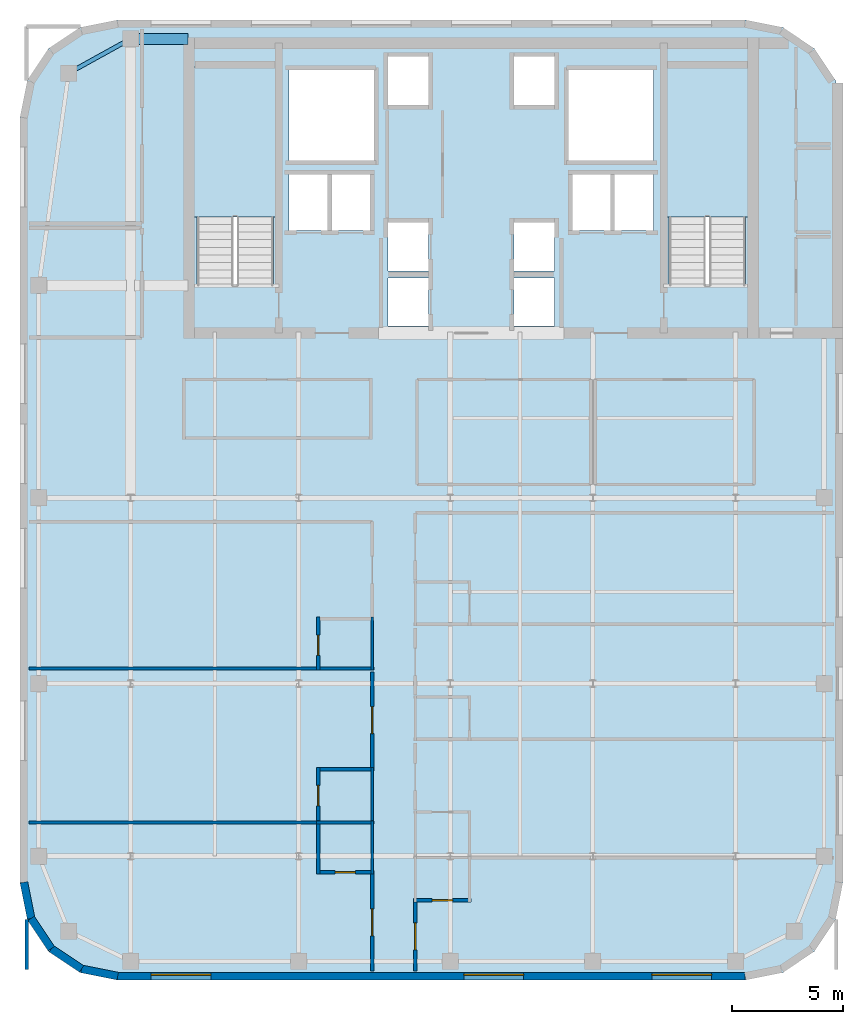
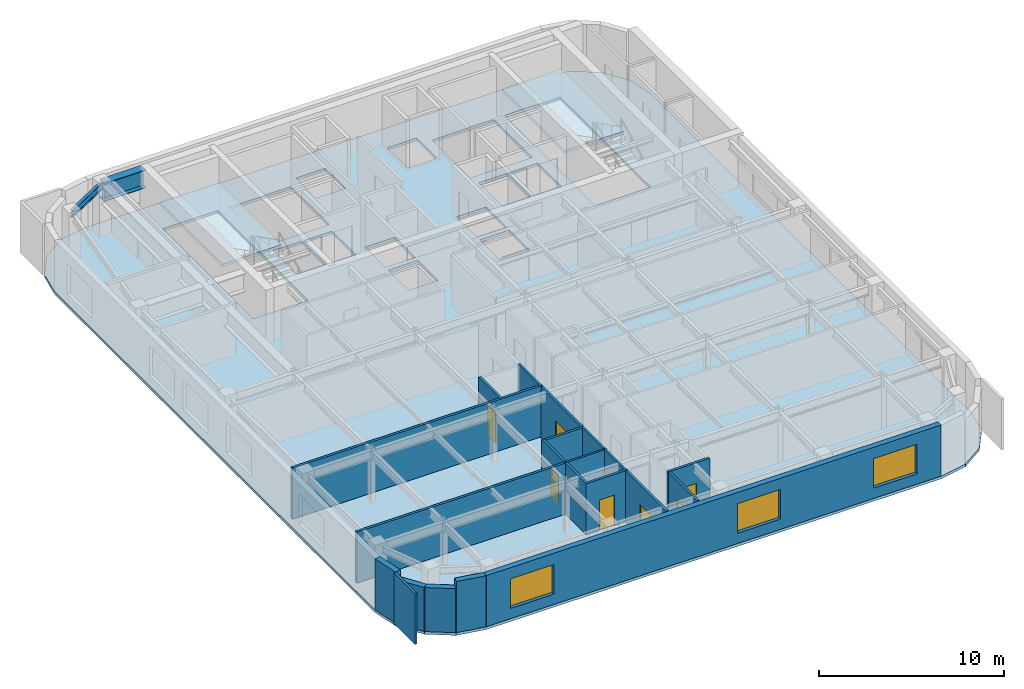
# One storey, part 3 of 8: 21 walls, 7 doors, 3 slabs, 3 windows, 2 beams, 10 openings, 2 elements without a shape of their own.
"""IFC4 building model written with IfcOpenShell, lengths in metres."""

from ifc_helpers import new_model, si_unit, direction, frame, frame_2d, origin, origin_2d, place, context, subcontext, project, spatial, polyline, rectangle, i_section, outline, extrude, source, transform, mapped, material, layer, layer_set, material_profile, profile_set, type_object, type_shapes, element, fill, aggregate, save


model = new_model("IFC4")

# Units and contexts
model_context = context("Model", 3, precision=1e-05, world=origin(), true_north=direction((0.0, 1.0)))
body_context = subcontext(model_context, "Body", "Model", "MODEL_VIEW")
ifc_project = project(units=[si_unit("LENGTHUNIT", "METRE"), si_unit("AREAUNIT", "SQUARE_METRE"), si_unit("VOLUMEUNIT", "CUBIC_METRE"), si_unit("PLANEANGLEUNIT", "RADIAN"), si_unit("MASSUNIT", "GRAM", prefix="KILO")], contexts=[model_context])

# Site, building, storey
site_placement = place(None, origin())
site = spatial("IfcSite", under=ifc_project, at=site_placement, CompositionType="ELEMENT")
building_placement = place(site_placement, origin())
building = spatial("IfcBuilding", under=site, at=building_placement, Name="Tolvann Quenvar Hotel", CompositionType="ELEMENT")
storey_placement = place(building_placement, frame((0.0, 0.0, 231.0)))
storey = spatial("IfcBuildingStorey", under=building, at=storey_placement, Name="L61", CompositionType="ELEMENT", Elevation=231.0)

# Beams
ifc_material_1 = material(Name="Steel Grade 350", Category="steel")
ifc_material_profile_1 = material_profile(ifc_material_1, i_section(OverallWidth=0.5, OverallDepth=1.199951171875, WebThickness=0.01611328125, FlangeThickness=0.0400390625, at=origin_2d()), Name="1200WB455")
ifc_profile_set_1 = profile_set([ifc_material_profile_1], Name="Steel Grade 350")
beam_type_1 = type_object("IfcBeamType", Name="BM_TG_1200WB455", PredefinedType="USERDEFINED", material=ifc_profile_set_1)
shared_shape_1 = source(origin(), body_context, "Body", "SweptSolid", [
    extrude(i_section(OverallWidth=0.5, OverallDepth=1.199951171875, WebThickness=0.01611328125, FlangeThickness=0.0400390625, at=origin_2d()), origin(), (0.0, 0.0, 1.0), 2.599853515625),
])
type_shapes(beam_type_1, [shared_shape_1])
beam_1_placement = place(storey_placement, frame((7.60009765625, 45.14990234375, 2.77001953125), z_axis=(1.0, 0.0, 0.0), x_axis=(0.0, 1.0, 0.0)))
element("IfcBeam", 1, at=beam_1_placement, inside=storey, type_object=beam_type_1, Name="BM-L61-CTW-CN", ObjectType="TRANSFER GIRDER", PredefinedType="USERDEFINED", context=body_context, shape_type="MappedRepresentation", body=[
    mapped(shared_shape_1, transform((0.0, 0.0, 0.0), x_axis=(1.0, 0.0, 0.0), y_axis=(0.0, 1.0, 0.0), z_axis=(0.0, 0.0, 1.0), scale=1.0)),
])
ifc_material_profile_2 = material_profile(ifc_material_1, i_section(OverallWidth=0.19091796875, OverallDepth=0.4599609375, WebThickness=0.010009765625, FlangeThickness=0.01611328125, FilletRadius=0.011474609375, at=origin_2d()), Name="460UB82")
ifc_profile_set_2 = profile_set([ifc_material_profile_2], Name="Steel Grade 350")
beam_type_2 = type_object("IfcBeamType", Name="BM_SPAND_460UB82", PredefinedType="SPANDREL", material=ifc_profile_set_2)
shared_shape_2 = source(origin(), body_context, "Body", "SweptSolid", [
    extrude(i_section(OverallWidth=0.19091796875, OverallDepth=0.4599609375, WebThickness=0.010009765625, FlangeThickness=0.01611328125, FilletRadius=0.011474609375, at=origin_2d()), origin(), (0.0, 0.0, 1.0), 3.200439453125),
])
type_shapes(beam_type_2, [shared_shape_2])
beam_2_placement = place(storey_placement, frame((4.800048828125, 43.60009765625, 3.139892578125), z_axis=(0.87492264453, 0.48426270359, 0.0), x_axis=(-0.48426270359, 0.87492264453, 0.0)))
element("IfcBeam", 2, at=beam_2_placement, inside=storey, type_object=beam_type_2, Name="BM-L61-FLK-W3", PredefinedType="SPANDREL", context=body_context, shape_type="MappedRepresentation", body=[
    mapped(shared_shape_2, transform((0.0, 0.0, 0.0), x_axis=(1.0, 0.0, 0.0), y_axis=(0.0, 1.0, 0.0), z_axis=(0.0, 0.0, 1.0), scale=1.0)),
])

# Stair, slab
ifc_material_2 = material(Name="Concrete N40 (40 MPa)", Category="concrete")
stair_type = type_object("IfcStairType", Name="STAIR", PredefinedType="HALF_TURN_STAIR", material=ifc_material_2)
stair_1_placement = place(storey_placement, origin())
stair_1 = element("IfcStair", 3, at=stair_1_placement, inside=storey, type_object=stair_type, Name="L61 ST-C1", PredefinedType="HALF_TURN_STAIR")
ifc_layer_1 = layer(ifc_material_2, 0.199951171875)
ifc_layer_set_1 = layer_set([ifc_layer_1], Name="Concrete N40 (40 MPa)")
slab_type_1 = type_object("IfcSlabType", Name="SLAB_LANDING", PredefinedType="LANDING", material=ifc_layer_set_1)
slab_1_placement = place(storey_placement, frame((0.0, 0.0, 1.574951171875)))
slab_1 = element("IfcSlab", 4, at=slab_1_placement, type_object=slab_type_1, Name="ST-C1 landing 1", PredefinedType="LANDING", context=body_context, shape_type="SweptSolid", body=[
    extrude(outline(polyline([(14.179931640625, 37.10498046875), (14.179931640625, 43.8798828125), (10.469970703125, 43.8798828125), (10.469970703125, 37.10498046875), (14.179931640625, 37.10498046875)])), origin(), (0.0, 0.0, 1.0), 0.199951171875),
])
aggregate(stair_1, [slab_1])

stair_2_placement = place(storey_placement, origin())
stair_2 = element("IfcStair", 5, at=stair_2_placement, inside=storey, type_object=stair_type, Name="L61 ST-C2", PredefinedType="HALF_TURN_STAIR")
slab_2_placement = place(storey_placement, frame((0.0, 0.0, 1.574951171875)))
slab_2 = element("IfcSlab", 6, at=slab_2_placement, type_object=slab_type_1, Name="ST-C2 landing 1", PredefinedType="LANDING", context=body_context, shape_type="SweptSolid", body=[
    extrude(outline(polyline([(35.530029296875, 37.10498046875), (35.530029296875, 43.8798828125), (31.820068359375, 43.8798828125), (31.820068359375, 37.10498046875), (35.530029296875, 37.10498046875)])), origin(), (0.0, 0.0, 1.0), 0.199951171875),
])
aggregate(stair_2, [slab_2])

# Slab
ifc_layer_2 = layer(ifc_material_2, 0.179931640625)
ifc_layer_set_2 = layer_set([ifc_layer_2], Name="Concrete N40 (40 MPa)")
slab_type_2 = type_object("IfcSlabType", Name="SLAB_TWR_180", PredefinedType="FLOOR", material=ifc_layer_set_2)
slab_3_placement = place(storey_placement, frame((0.0, 0.0, -0.179931640625)))
element("IfcSlab", 7, at=slab_3_placement, inside=storey, type_object=slab_type_2, Name="Level L61 Structural Floor Slab", PredefinedType="FLOOR", context=body_context, shape_type="SweptSolid", body=[
    extrude(outline(polyline([(2.60009765625, 7.0), (2.934814453125, 5.316162109375), (3.888671875, 3.888671875), (5.316162109375, 2.934814453125), (7.0, 2.60009765625), (35.39990234375, 2.60009765625), (37.083740234375, 2.934814453125), (38.51123046875, 3.888671875), (39.465087890625, 5.316162109375), (39.800048828125, 7.0), (39.800048828125, 41.60009765625), (39.465087890625, 43.28369140625), (38.51123046875, 44.711181640625), (37.083740234375, 45.6650390625), (35.39990234375, 46.0), (7.0, 46.0), (5.316162109375, 45.6650390625), (3.888671875, 44.711181640625), (2.934814453125, 43.28369140625), (2.60009765625, 41.60009765625), (2.60009765625, 7.0)]), holes=[polyline([(31.949951171875, 34.02490234375), (31.949951171875, 43.800048828125), (35.39990234375, 43.800048828125), (35.39990234375, 34.02490234375), (31.949951171875, 34.02490234375)]), polyline([(27.39990234375, 43.75), (31.25, 43.75), (31.25, 39.64990234375), (27.39990234375, 39.64990234375), (27.39990234375, 43.75)]), polyline([(29.449951171875, 39.02001953125), (31.25, 39.02001953125), (31.25, 36.47998046875), (29.449951171875, 36.47998046875), (29.449951171875, 39.02001953125)]), polyline([(27.574951171875, 39.02001953125), (29.324951171875, 39.02001953125), (29.324951171875, 36.47998046875), (27.574951171875, 36.47998046875), (27.574951171875, 39.02001953125)]), polyline([(24.929931640625, 36.840087890625), (26.77001953125, 36.840087890625), (26.77001953125, 34.659912109375), (24.929931640625, 34.659912109375), (24.929931640625, 36.840087890625)]), polyline([(24.929931640625, 44.340087890625), (26.77001953125, 44.340087890625), (26.77001953125, 42.159912109375), (24.929931640625, 42.159912109375), (24.929931640625, 44.340087890625)]), polyline([(24.929931640625, 32.159912109375), (24.929931640625, 34.340087890625), (26.77001953125, 34.340087890625), (26.77001953125, 32.159912109375), (24.929931640625, 32.159912109375)]), polyline([(19.22998046875, 36.840087890625), (21.070068359375, 36.840087890625), (21.070068359375, 34.659912109375), (19.22998046875, 34.659912109375), (19.22998046875, 36.840087890625)]), polyline([(19.22998046875, 44.340087890625), (21.070068359375, 44.340087890625), (21.070068359375, 42.159912109375), (19.22998046875, 42.159912109375), (19.22998046875, 44.340087890625)]), polyline([(19.22998046875, 32.159912109375), (19.22998046875, 34.340087890625), (21.070068359375, 34.340087890625), (21.070068359375, 32.159912109375), (19.22998046875, 32.159912109375)]), polyline([(14.75, 43.75), (18.60009765625, 43.75), (18.60009765625, 39.64990234375), (14.75, 39.64990234375), (14.75, 43.75)]), polyline([(16.675048828125, 39.02001953125), (18.425048828125, 39.02001953125), (18.425048828125, 36.47998046875), (16.675048828125, 36.47998046875), (16.675048828125, 39.02001953125)]), polyline([(14.75, 39.02001953125), (16.550048828125, 39.02001953125), (16.550048828125, 36.47998046875), (14.75, 36.47998046875), (14.75, 39.02001953125)]), polyline([(10.60009765625, 34.02490234375), (10.60009765625, 43.800048828125), (14.050048828125, 43.800048828125), (14.050048828125, 34.02490234375), (10.60009765625, 34.02490234375)])]), origin(), (0.0, 0.0, 1.0), 0.179931640625),
])

# Walls
ifc_material_3 = material(Name="Kiln-fired red and buff architectural clay brickwork and terracotta masonry", Category="masonry")
ifc_layer_3 = layer(ifc_material_3, 0.35009765625)
ifc_layer_set_3 = layer_set([ifc_layer_3], Name="Kiln-fired red and buff architectural clay brickwork and terracotta masonry")
wall_type_1 = type_object("IfcWallType", Name="WALL_EXT_BRICK_350", PredefinedType="SOLIDWALL", material=ifc_layer_set_3)
for number, where, z_axis, x_axis, name in (
    (8, (3.099609375, 5.384521484375, 0.0), (0.0, 0.0, 1.0), (0.555623290322, -0.831434158098, 0.0), "Exterior Chicago Brick Wall L61-E01"),
    (9, (4.014892578125, 4.014892578125, 0.0), (0.0, 0.0, 1.0), (0.831434158098, -0.555623290322, 0.0), "Exterior Chicago Brick Wall L61-E02"),
):
    element("IfcWall", number, at=place(storey_placement, frame(where, z_axis=z_axis, x_axis=x_axis)), inside=storey, type_object=wall_type_1, Name=name, PredefinedType="SOLIDWALL", context=body_context, shape_type="SweptSolid", body=[
        extrude(rectangle(XDim=1.647216796875, YDim=0.35009765625, at=frame_2d((0.82373046875, 0.0))), origin(), (0.0, 0.0, 1.0), 2.89990234375),
    ])
wall_1_placement = place(storey_placement, frame((5.384521484375, 3.099609375, 0.0), z_axis=(0.0, 0.0, 1.0), x_axis=(0.980788844421, -0.195072403631, 0.0)))
element("IfcWall", 10, at=wall_1_placement, inside=storey, type_object=wall_type_1, Name="Exterior Chicago Brick Wall L61-E03", PredefinedType="SOLIDWALL", context=body_context, shape_type="SweptSolid", body=[
    extrude(rectangle(XDim=1.66455078125, YDim=0.35009765625, at=frame_2d((0.832275390625, 0.0))), origin(), (0.0, 0.0, 1.0), 3.3701171875),
])

# Wall, openings, windows
wall_2_placement = place(storey_placement, frame((7.01708984375, 2.77490234375, 0.0), z_axis=(0.0, 0.0, 1.0), x_axis=(1.0, 0.0, 0.0)))
wall_2 = element("IfcWall", 11, at=wall_2_placement, inside=storey, type_object=wall_type_1, Name="Exterior Chicago Brick Wall L61-E04", PredefinedType="SOLIDWALL", context=body_context, shape_type="SweptSolid", body=[
    extrude(rectangle(XDim=28.36572265625, YDim=0.35009765625, at=frame_2d((14.182861328125, 0.0))), origin(), (0.0, 0.0, 1.0), 3.3701171875),
])
opening_1_placement = place(wall_2_placement, frame((1.513916015625, 0.0, 0.679931640625)))
opening_1 = element("IfcOpeningElement", 12, at=opening_1_placement, cuts=wall_2, Name="Opening W-04", PredefinedType="OPENING", context=body_context, shape_type="SweptSolid", body=[
    extrude(rectangle(XDim=2.699951171875, YDim=1.949951171875, at=frame_2d((1.35009765625, 0.97509765625))), frame((0.0, 0.18505859375, 0.0), z_axis=(0.0, -1.0, 0.0), x_axis=(1.0, 0.0, 0.0)), (0.0, 0.0, 1.0), 0.3701171875),
])
opening_2_placement = place(wall_2_placement, frame((15.64697265625, 0.0, 0.679931640625)))
opening_2 = element("IfcOpeningElement", 13, at=opening_2_placement, cuts=wall_2, Name="Opening W-04", PredefinedType="OPENING", context=body_context, shape_type="SweptSolid", body=[
    extrude(rectangle(XDim=2.699951171875, YDim=1.949951171875, at=frame_2d((1.35009765625, 0.97509765625))), frame((0.0, 0.18505859375, 0.0), z_axis=(0.0, -1.0, 0.0), x_axis=(1.0, 0.0, 0.0)), (0.0, 0.0, 1.0), 0.3701171875),
])
opening_3_placement = place(wall_2_placement, frame((24.152099609375, 0.0, 0.679931640625)))
opening_3 = element("IfcOpeningElement", 14, at=opening_3_placement, cuts=wall_2, Name="Opening W-04", PredefinedType="OPENING", context=body_context, shape_type="SweptSolid", body=[
    extrude(rectangle(XDim=2.699951171875, YDim=1.949951171875, at=frame_2d((1.35009765625, 0.97509765625))), frame((0.0, 0.18505859375, 0.0), z_axis=(0.0, -1.0, 0.0), x_axis=(1.0, 0.0, 0.0)), (0.0, 0.0, 1.0), 0.3701171875),
])
ifc_material_4 = material(Name="Thermally broken bronze-anodised aluminium frame with double low-E glazing", Category="aluminium")
window_type = type_object("IfcWindowType", Name="WIN_STE_2700x2150", PartitioningType="TRIPLE_PANEL_HORIZONTAL", PredefinedType="WINDOW", material=ifc_material_4)
shared_shape_3 = source(origin(), body_context, "Body", "SweptSolid", [
    extrude(rectangle(XDim=2.699951171875, YDim=1.949951171875, at=frame_2d((1.35009765625, 0.97509765625))), frame((0.0, 0.090087890625, 0.0), z_axis=(0.0, -1.0, 0.0), x_axis=(1.0, 0.0, 0.0)), (0.0, 0.0, 1.0), 0.06005859375),
])
type_shapes(window_type, [shared_shape_3])
window_1_placement = place(opening_1_placement, origin())
window_1 = element("IfcWindow", 15, at=window_1_placement, inside=storey, type_object=window_type, Name="Chicago Window W-04 (EW-L61-E04-W01)", OverallHeight=1.949951171875, OverallWidth=2.699951171875, PartitioningType="TRIPLE_PANEL_HORIZONTAL", PredefinedType="WINDOW", context=body_context, shape_type="MappedRepresentation", body=[
    mapped(shared_shape_3, transform((0.0, 0.0, 0.0), x_axis=(1.0, 0.0, 0.0), y_axis=(0.0, 1.0, 0.0), z_axis=(0.0, 0.0, 1.0), scale=1.0)),
])
fill(opening_1, window_1)
window_2_placement = place(opening_2_placement, origin())
window_2 = element("IfcWindow", 16, at=window_2_placement, inside=storey, type_object=window_type, Name="Chicago Window W-04 (EW-L61-E04-W02)", OverallHeight=1.949951171875, OverallWidth=2.699951171875, PartitioningType="TRIPLE_PANEL_HORIZONTAL", PredefinedType="WINDOW", context=body_context, shape_type="MappedRepresentation", body=[
    mapped(shared_shape_3, transform((0.0, 0.0, 0.0), x_axis=(1.0, 0.0, 0.0), y_axis=(0.0, 1.0, 0.0), z_axis=(0.0, 0.0, 1.0), scale=1.0)),
])
fill(opening_2, window_2)
window_3_placement = place(opening_3_placement, origin())
window_3 = element("IfcWindow", 17, at=window_3_placement, inside=storey, type_object=window_type, Name="Chicago Window W-04 (EW-L61-E04-W03)", OverallHeight=1.949951171875, OverallWidth=2.699951171875, PartitioningType="TRIPLE_PANEL_HORIZONTAL", PredefinedType="WINDOW", context=body_context, shape_type="MappedRepresentation", body=[
    mapped(shared_shape_3, transform((0.0, 0.0, 0.0), x_axis=(1.0, 0.0, 0.0), y_axis=(0.0, 1.0, 0.0), z_axis=(0.0, 0.0, 1.0), scale=1.0)),
])
fill(opening_3, window_3)

# Walls
wall_3_placement = place(storey_placement, frame((2.77490234375, 7.01708984375, 0.0), z_axis=(0.0, 0.0, 1.0), x_axis=(0.195072403631, -0.980788844421, 0.0)))
element("IfcWall", 18, at=wall_3_placement, inside=storey, type_object=wall_type_1, Name="Exterior Chicago Brick Wall L61-E20", PredefinedType="SOLIDWALL", context=body_context, shape_type="SweptSolid", body=[
    extrude(rectangle(XDim=1.66455078125, YDim=0.35009765625, at=frame_2d((0.832275390625, 0.0))), origin(), (0.0, 0.0, 1.0), 3.3701171875),
])
ifc_material_5 = material(Name="Moisture-resistant acoustic plumbing wall assembly")
ifc_layer_4 = layer(ifc_material_5, 0.1201171875)
ifc_layer_set_4 = layer_set([ifc_layer_4], Name="Moisture-resistant acoustic plumbing wall assembly")
wall_type_2 = type_object("IfcWallType", Name="WALL_PART_BATH_120", PredefinedType="PLUMBINGWALL", material=ifc_layer_set_4)
wall_4_placement = place(storey_placement, frame((16.010009765625, 9.719970703125, 0.0), z_axis=(0.0, 0.0, 1.0), x_axis=(1.0, 0.0, 0.0)))
element("IfcWall", 19, at=wall_4_placement, inside=storey, type_object=wall_type_2, Name="Non-Rated Plumbing Partition PT-SPC-L61-ENS-WO01-N", PredefinedType="PLUMBINGWALL", context=body_context, shape_type="SweptSolid", body=[
    extrude(rectangle(XDim=2.590087890625, YDim=0.1201171875, at=frame_2d((1.294921875, 0.0))), origin(), (0.0, 0.0, 1.0), 3.3701171875),
])
wall_5_placement = place(storey_placement, frame((18.530029296875, 7.39990234375, 0.0), z_axis=(0.0, 0.0, 1.0), x_axis=(0.0, 1.0, 0.0)))
element("IfcWall", 20, at=wall_5_placement, inside=storey, type_object=wall_type_2, Name="Non-Rated Plumbing Partition PT-SPC-L61-ENS-WO01-E", PredefinedType="PLUMBINGWALL", context=body_context, shape_type="SweptSolid", body=[
    extrude(rectangle(XDim=2.39013671875, YDim=0.1201171875, at=frame_2d((1.195068359375, 0.0))), origin(), (0.0, 0.0, 1.0), 3.3701171875),
])
for number, where, z_axis, x_axis, name in (
    (21, (18.530029296875, 9.81005859375, 0.0), (0.0, 0.0, 1.0), (0.0, 1.0, 0.0), "Non-Rated Plumbing Partition PT-SPC-L61-ENS-WO02-E"),
    (22, (18.530029296875, 16.610107421875, 0.0), (0.0, 0.0, 1.0), (0.0, 1.0, 0.0), "Non-Rated Plumbing Partition PT-SPC-L61-ENS-WO03-E"),
):
    element("IfcWall", number, at=place(storey_placement, frame(where, z_axis=z_axis, x_axis=x_axis)), inside=storey, type_object=wall_type_2, Name=name, PredefinedType="PLUMBINGWALL", context=body_context, shape_type="SweptSolid", body=[
        extrude(rectangle(XDim=2.389892578125, YDim=0.1201171875, at=frame_2d((1.19482421875, 0.0))), origin(), (0.0, 0.0, 1.0), 3.3701171875),
    ])
ifc_material_6 = material(Name="Acoustic twin-stud fire-rated gypsum plasterboard partition")
ifc_layer_5 = layer(ifc_material_6, 0.14990234375)
ifc_layer_set_5 = layer_set([ifc_layer_5], Name="Acoustic twin-stud fire-rated gypsum plasterboard partition")
wall_type_3 = type_object("IfcWallType", Name="WALL_PART_SUITE_150", PredefinedType="PARTITIONING", material=ifc_layer_set_5)
wall_6_placement = place(storey_placement, frame((16.080078125, 7.39990234375, 0.0), z_axis=(0.0, 0.0, 1.0), x_axis=(0.0, 1.0, 0.0)))
element("IfcWall", 23, at=wall_6_placement, inside=storey, type_object=wall_type_3, Name="Interior Partition PT-SPC-L61-ENS-WO01-ENT", PredefinedType="PARTITIONING", context=body_context, shape_type="SweptSolid", body=[
    extrude(rectangle(XDim=2.39013671875, YDim=0.14990234375, at=frame_2d((1.195068359375, 0.0))), origin(), (0.0, 0.0, 1.0), 3.3701171875),
])

# Wall, opening, door
wall_7_placement = place(storey_placement, frame((16.010009765625, 7.469970703125, 0.0), z_axis=(0.0, 0.0, 1.0), x_axis=(1.0, 0.0, 0.0)))
wall_7 = element("IfcWall", 24, at=wall_7_placement, inside=storey, type_object=wall_type_3, Name="Interior Partition PT-SPC-L61-ENS-WO01-S", PredefinedType="PARTITIONING", context=body_context, shape_type="SweptSolid", body=[
    extrude(rectangle(XDim=2.590087890625, YDim=0.14990234375, at=frame_2d((1.294921875, 0.0))), origin(), (0.0, 0.0, 1.0), 3.3701171875),
])
opening_4_placement = place(wall_7_placement, frame((0.8349609375, 0.0, 0.0)))
opening_4 = element("IfcOpeningElement", 25, at=opening_4_placement, cuts=wall_7, Name="Opening WD-01", PredefinedType="OPENING", context=body_context, shape_type="SweptSolid", body=[
    extrude(rectangle(XDim=0.919921875, YDim=2.010009765625, at=frame_2d((0.4599609375, 1.0048828125))), frame((0.0, 0.0849609375, 0.0), z_axis=(0.0, -1.0, 0.0), x_axis=(1.0, 0.0, 0.0)), (0.0, 0.0, 1.0), 0.169921875),
])
ifc_material_7 = material(Name="Solid-core American oak acoustic fire door leaf in steel frame", Category="steel")
door_type_1 = type_object("IfcDoorType", Name="DOOR_WC_920", OperationType="NOTDEFINED", PredefinedType="DOOR", material=ifc_material_7)
shared_shape_4 = source(origin(), body_context, "Body", "SweptSolid", [
    extrude(rectangle(XDim=0.919921875, YDim=2.010009765625, at=frame_2d((0.4599609375, 1.0048828125))), frame((0.0, 0.02490234375, 0.0), z_axis=(0.0, -1.0, 0.0), x_axis=(1.0, 0.0, 0.0)), (0.0, 0.0, 1.0), 0.050048828125),
])
type_shapes(door_type_1, [shared_shape_4])
door_1_placement = place(opening_4_placement, origin())
door_1 = element("IfcDoor", 26, at=door_1_placement, inside=storey, type_object=door_type_1, Name="Interior Door DOOR-SPC-L61-ENS-WO01", OperationType="SINGLE_SWING_LEFT", OverallHeight=2.010009765625, OverallWidth=0.919921875, PredefinedType="DOOR", context=body_context, shape_type="MappedRepresentation", body=[
    mapped(shared_shape_4, transform((0.0, 0.0, 0.0), x_axis=(1.0, 0.0, 0.0), y_axis=(0.0, 1.0, 0.0), z_axis=(0.0, 0.0, 1.0), scale=1.0)),
])
fill(opening_4, door_1)

wall_8_placement = place(storey_placement, frame((16.080078125, 9.81005859375, 0.0), z_axis=(0.0, 0.0, 1.0), x_axis=(0.0, 1.0, 0.0)))
wall_8 = element("IfcWall", 27, at=wall_8_placement, inside=storey, type_object=wall_type_3, Name="Interior Partition PT-SPC-L61-ENS-WO02-ENT", PredefinedType="PARTITIONING", context=body_context, shape_type="SweptSolid", body=[
    extrude(rectangle(XDim=2.389892578125, YDim=0.14990234375, at=frame_2d((1.19482421875, 0.0))), origin(), (0.0, 0.0, 1.0), 3.3701171875),
])
opening_5_placement = place(wall_8_placement, frame((0.6650390625, 0.0, 0.0)))
opening_5 = element("IfcOpeningElement", 28, at=opening_5_placement, cuts=wall_8, Name="Opening WD-01", PredefinedType="OPENING", context=body_context, shape_type="SweptSolid", body=[
    extrude(rectangle(XDim=0.919921875, YDim=2.010009765625, at=frame_2d((0.4599609375, 1.0048828125))), frame((0.0, 0.0849609375, 0.0), z_axis=(0.0, -1.0, 0.0), x_axis=(1.0, 0.0, 0.0)), (0.0, 0.0, 1.0), 0.169921875),
])
door_2_placement = place(opening_5_placement, origin())
door_2 = element("IfcDoor", 29, at=door_2_placement, inside=storey, type_object=door_type_1, Name="Interior Door DOOR-SPC-L61-ENS-WO02", OperationType="SINGLE_SWING_RIGHT", OverallHeight=2.010009765625, OverallWidth=0.919921875, PredefinedType="DOOR", context=body_context, shape_type="MappedRepresentation", body=[
    mapped(shared_shape_4, transform((0.0, 0.0, 0.0), x_axis=(1.0, 0.0, 0.0), y_axis=(0.0, 1.0, 0.0), z_axis=(0.0, 0.0, 1.0), scale=1.0)),
])
fill(opening_5, door_2)

# Wall
wall_9_placement = place(storey_placement, frame((16.010009765625, 12.1298828125, 0.0), z_axis=(0.0, 0.0, 1.0), x_axis=(1.0, 0.0, 0.0)))
element("IfcWall", 30, at=wall_9_placement, inside=storey, type_object=wall_type_3, Name="Interior Partition PT-SPC-L61-ENS-WO02-N", PredefinedType="PARTITIONING", context=body_context, shape_type="SweptSolid", body=[
    extrude(rectangle(XDim=2.590087890625, YDim=0.14990234375, at=frame_2d((1.294921875, 0.0))), origin(), (0.0, 0.0, 1.0), 3.3701171875),
])

# Wall, opening, door
wall_10_placement = place(storey_placement, frame((16.080078125, 16.610107421875, 0.0), z_axis=(0.0, 0.0, 1.0), x_axis=(0.0, 1.0, 0.0)))
wall_10 = element("IfcWall", 31, at=wall_10_placement, inside=storey, type_object=wall_type_3, Name="Interior Partition PT-SPC-L61-ENS-WO03-ENT", PredefinedType="PARTITIONING", context=body_context, shape_type="SweptSolid", body=[
    extrude(rectangle(XDim=2.389892578125, YDim=0.14990234375, at=frame_2d((1.19482421875, 0.0))), origin(), (0.0, 0.0, 1.0), 3.3701171875),
])
opening_6_placement = place(wall_10_placement, frame((0.6650390625, 0.0, 0.0)))
opening_6 = element("IfcOpeningElement", 32, at=opening_6_placement, cuts=wall_10, Name="Opening WD-01", PredefinedType="OPENING", context=body_context, shape_type="SweptSolid", body=[
    extrude(rectangle(XDim=0.919921875, YDim=2.010009765625, at=frame_2d((0.4599609375, 1.0048828125))), frame((0.0, 0.0849609375, 0.0), z_axis=(0.0, -1.0, 0.0), x_axis=(1.0, 0.0, 0.0)), (0.0, 0.0, 1.0), 0.169921875),
])
door_3_placement = place(opening_6_placement, origin())
door_3 = element("IfcDoor", 33, at=door_3_placement, inside=storey, type_object=door_type_1, Name="Interior Door DOOR-SPC-L61-ENS-WO03", OperationType="SINGLE_SWING_LEFT", OverallHeight=2.010009765625, OverallWidth=0.919921875, PredefinedType="DOOR", context=body_context, shape_type="MappedRepresentation", body=[
    mapped(shared_shape_4, transform((0.0, 0.0, 0.0), x_axis=(1.0, 0.0, 0.0), y_axis=(0.0, 1.0, 0.0), z_axis=(0.0, 0.0, 1.0), scale=1.0)),
])
fill(opening_6, door_3)

# Wall
wall_11_placement = place(storey_placement, frame((3.0048828125, 16.679931640625, 0.0), z_axis=(0.0, 0.0, 1.0), x_axis=(1.0, 0.0, 0.0)))
element("IfcWall", 34, at=wall_11_placement, inside=storey, type_object=wall_type_3, Name="Interior Partition PT-SPC-L61-ENS-WO03-S", PredefinedType="PARTITIONING", context=body_context, shape_type="SweptSolid", body=[
    extrude(rectangle(XDim=15.59521484375, YDim=0.14990234375, at=frame_2d((7.797607421875, 0.0))), origin(), (0.0, 0.0, 1.0), 3.3701171875),
])

# Wall, opening, door
wall_12_placement = place(storey_placement, frame((20.39990234375, 6.205078125, 0.0), z_axis=(0.0, 0.0, 1.0), x_axis=(1.0, 0.0, 0.0)))
wall_12 = element("IfcWall", 35, at=wall_12_placement, inside=storey, type_object=wall_type_3, Name="Interior Partition PT-SPC-L61-ENS-EO01-S", PredefinedType="PARTITIONING", context=body_context, shape_type="SweptSolid", body=[
    extrude(rectangle(XDim=2.590087890625, YDim=0.14990234375, at=frame_2d((1.294921875, 0.0))), origin(), (0.0, 0.0, 1.0), 3.3701171875),
])
opening_7_placement = place(wall_12_placement, frame((0.8349609375, 0.0, 0.0)))
opening_7 = element("IfcOpeningElement", 36, at=opening_7_placement, cuts=wall_12, Name="Opening WD-01", PredefinedType="OPENING", context=body_context, shape_type="SweptSolid", body=[
    extrude(rectangle(XDim=0.919921875, YDim=2.010009765625, at=frame_2d((0.4599609375, 1.0048828125))), frame((0.0, 0.0849609375, 0.0), z_axis=(0.0, -1.0, 0.0), x_axis=(1.0, 0.0, 0.0)), (0.0, 0.0, 1.0), 0.169921875),
])
door_4_placement = place(opening_7_placement, origin())
door_4 = element("IfcDoor", 37, at=door_4_placement, inside=storey, type_object=door_type_1, Name="Interior Door DOOR-SPC-L61-ENS-EO01", OperationType="SINGLE_SWING_RIGHT", OverallHeight=2.010009765625, OverallWidth=0.919921875, PredefinedType="DOOR", context=body_context, shape_type="MappedRepresentation", body=[
    mapped(shared_shape_4, transform((0.0, 0.0, 0.0), x_axis=(1.0, 0.0, 0.0), y_axis=(0.0, 1.0, 0.0), z_axis=(0.0, 0.0, 1.0), scale=1.0)),
])
fill(opening_7, door_4)

wall_13_placement = place(storey_placement, frame((18.530029296875, 3.0048828125, 0.0), z_axis=(0.0, 0.0, 1.0), x_axis=(0.0, 1.0, 0.0)))
wall_13 = element("IfcWall", 38, at=wall_13_placement, inside=storey, type_object=wall_type_3, Name="Interior Partition PT-SPC-L61-RM-WO01-ENT", PredefinedType="PARTITIONING", context=body_context, shape_type="SweptSolid", body=[
    extrude(rectangle(XDim=4.385009765625, YDim=0.14990234375, at=frame_2d((2.1923828125, 0.0))), origin(), (0.0, 0.0, 1.0), 3.3701171875),
])
opening_8_placement = place(wall_13_placement, frame((1.590087890625, 0.0, 0.0)))
opening_8 = element("IfcOpeningElement", 39, at=opening_8_placement, cuts=wall_13, Name="Opening SD-02", PredefinedType="OPENING", context=body_context, shape_type="SweptSolid", body=[
    extrude(rectangle(XDim=1.219970703125, YDim=2.080078125, at=frame_2d((0.60986328125, 1.0400390625))), frame((0.0, 0.0849609375, 0.0), z_axis=(0.0, -1.0, 0.0), x_axis=(1.0, 0.0, 0.0)), (0.0, 0.0, 1.0), 0.169921875),
])
door_type_2 = type_object("IfcDoorType", Name="DOOR_VIP_1220", OperationType="NOTDEFINED", PredefinedType="DOOR", material=ifc_material_7)
shared_shape_5 = source(origin(), body_context, "Body", "SweptSolid", [
    extrude(rectangle(XDim=1.219970703125, YDim=2.080078125, at=frame_2d((0.60986328125, 1.0400390625))), frame((0.0, 0.02490234375, 0.0), z_axis=(0.0, -1.0, 0.0), x_axis=(1.0, 0.0, 0.0)), (0.0, 0.0, 1.0), 0.050048828125),
])
type_shapes(door_type_2, [shared_shape_5])
door_5_placement = place(opening_8_placement, origin())
door_5 = element("IfcDoor", 40, at=door_5_placement, inside=storey, type_object=door_type_2, Name="Interior Door DOOR-SPC-L61-RM-WO01", OperationType="SINGLE_SWING_RIGHT", OverallHeight=2.080078125, OverallWidth=1.219970703125, PredefinedType="DOOR", context=body_context, shape_type="MappedRepresentation", body=[
    mapped(shared_shape_5, transform((0.0, 0.0, 0.0), x_axis=(1.0, 0.0, 0.0), y_axis=(0.0, 1.0, 0.0), z_axis=(0.0, 0.0, 1.0), scale=1.0)),
])
fill(opening_8, door_5)

# Walls
wall_14_placement = place(storey_placement, frame((3.0048828125, 9.719970703125, 0.0), z_axis=(0.0, 0.0, 1.0), x_axis=(1.0, 0.0, 0.0)))
element("IfcWall", 41, at=wall_14_placement, inside=storey, type_object=wall_type_3, Name="Interior Partition PT-SPC-L61-RM-WO01-E5", PredefinedType="PARTITIONING", context=body_context, shape_type="SweptSolid", body=[
    extrude(rectangle(XDim=13.05517578125, YDim=0.14990234375, at=frame_2d((6.527587890625, 0.0))), origin(), (0.0, 0.0, 1.0), 3.3701171875),
])
wall_15_placement = place(storey_placement, frame((2.89990234375, 3.080078125, 0.0), z_axis=(0.0, 0.0, 1.0), x_axis=(0.0, 1.0, 0.0)))
element("IfcWall", 42, at=wall_15_placement, inside=storey, type_object=wall_type_3, Name="Interior Partition PT-SPC-L61-RM-WO01-E6", PredefinedType="PARTITIONING", context=body_context, shape_type="SweptSolid", body=[
    extrude(rectangle(XDim=2.264892578125, YDim=0.14990234375, at=frame_2d((1.13232421875, 0.0))), origin(), (0.0, 0.0, 1.0), 3.3701171875),
])

# Wall, opening, door
wall_16_placement = place(storey_placement, frame((18.530029296875, 12.2099609375, 0.0), z_axis=(0.0, 0.0, 1.0), x_axis=(0.0, 1.0, 0.0)))
wall_16 = element("IfcWall", 43, at=wall_16_placement, inside=storey, type_object=wall_type_3, Name="Interior Partition PT-SPC-L61-RM-WO02-ENT", PredefinedType="PARTITIONING", context=body_context, shape_type="SweptSolid", body=[
    extrude(rectangle(XDim=4.31005859375, YDim=0.14990234375, at=frame_2d((2.155029296875, 0.0))), origin(), (0.0, 0.0, 1.0), 3.3701171875),
])
opening_9_placement = place(wall_16_placement, frame((1.52490234375, 0.0, 0.0)))
opening_9 = element("IfcOpeningElement", 44, at=opening_9_placement, cuts=wall_16, Name="Opening SD-02", PredefinedType="OPENING", context=body_context, shape_type="SweptSolid", body=[
    extrude(rectangle(XDim=1.219970703125, YDim=2.080078125, at=frame_2d((0.60986328125, 1.0400390625))), frame((0.0, 0.0849609375, 0.0), z_axis=(0.0, -1.0, 0.0), x_axis=(1.0, 0.0, 0.0)), (0.0, 0.0, 1.0), 0.169921875),
])
door_6_placement = place(opening_9_placement, origin())
door_6 = element("IfcDoor", 45, at=door_6_placement, inside=storey, type_object=door_type_2, Name="Interior Door DOOR-SPC-L61-RM-WO02", OperationType="SINGLE_SWING_LEFT", OverallHeight=2.080078125, OverallWidth=1.219970703125, PredefinedType="DOOR", context=body_context, shape_type="MappedRepresentation", body=[
    mapped(shared_shape_5, transform((0.0, 0.0, 0.0), x_axis=(1.0, 0.0, 0.0), y_axis=(0.0, 1.0, 0.0), z_axis=(0.0, 0.0, 1.0), scale=1.0)),
])
fill(opening_9, door_6)

wall_17_placement = place(storey_placement, frame((20.469970703125, 3.0048828125, 0.0), z_axis=(0.0, 0.0, 1.0), x_axis=(0.0, 1.0, 0.0)))
wall_17 = element("IfcWall", 46, at=wall_17_placement, inside=storey, type_object=wall_type_3, Name="Interior Partition PT-SPC-L61-RM-EO01-ENT", PredefinedType="PARTITIONING", context=body_context, shape_type="SweptSolid", body=[
    extrude(rectangle(XDim=3.1201171875, YDim=0.14990234375, at=frame_2d((1.56005859375, 0.0))), origin(), (0.0, 0.0, 1.0), 3.3701171875),
])
opening_10_placement = place(wall_17_placement, frame((0.95751953125, 0.0, 0.0)))
opening_10 = element("IfcOpeningElement", 47, at=opening_10_placement, cuts=wall_17, Name="Opening SD-02", PredefinedType="OPENING", context=body_context, shape_type="SweptSolid", body=[
    extrude(rectangle(XDim=1.219970703125, YDim=2.080078125, at=frame_2d((0.60986328125, 1.0400390625))), frame((0.0, 0.0849609375, 0.0), z_axis=(0.0, -1.0, 0.0), x_axis=(1.0, 0.0, 0.0)), (0.0, 0.0, 1.0), 0.169921875),
])
door_7_placement = place(opening_10_placement, origin())
door_7 = element("IfcDoor", 48, at=door_7_placement, inside=storey, type_object=door_type_2, Name="Interior Door DOOR-SPC-L61-RM-EO01", OperationType="SINGLE_SWING_LEFT", OverallHeight=2.080078125, OverallWidth=1.219970703125, PredefinedType="DOOR", context=body_context, shape_type="MappedRepresentation", body=[
    mapped(shared_shape_5, transform((0.0, 0.0, 0.0), x_axis=(1.0, 0.0, 0.0), y_axis=(0.0, 1.0, 0.0), z_axis=(0.0, 0.0, 1.0), scale=1.0)),
])
fill(opening_10, door_7)

save(model, "model.ifc")
